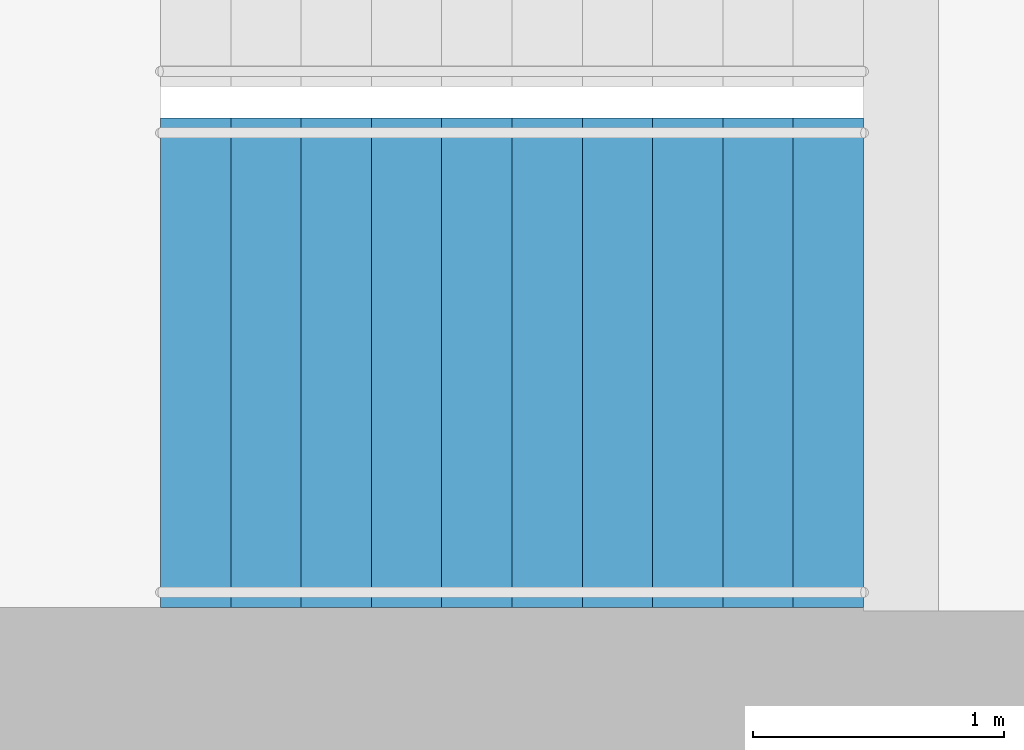
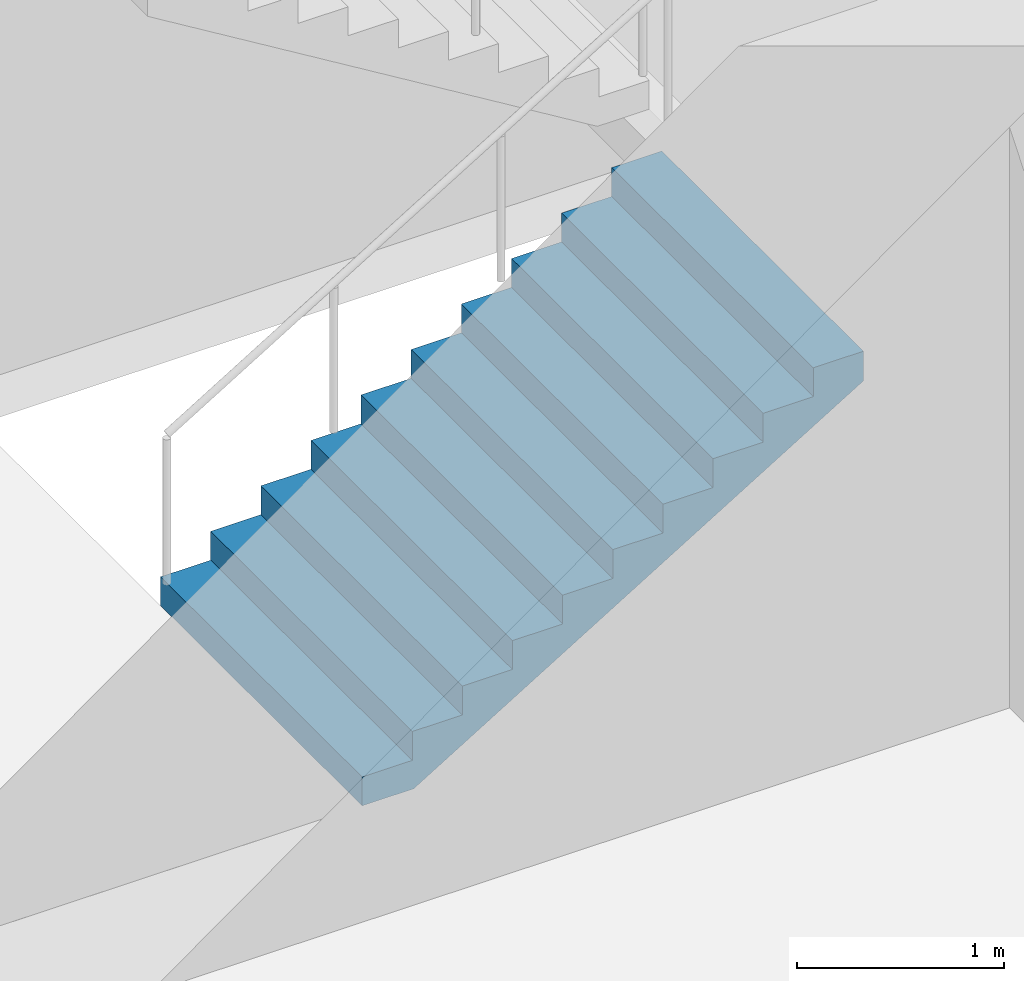
# One storey, part 19 of 23: 1 stair flight, 1 element without a shape of its own.
"""IFC4 building model written with IfcOpenShell, lengths in metres."""

from ifc_helpers import new_model, si_unit, direction, frame, origin, place, context, subcontext, project, spatial, triangles, material, type_object, element, aggregate, save


model = new_model("IFC4")

# Units and contexts
model_context = context("Model", 3, precision=1e-05, world=origin(), true_north=direction((0.0, 1.0)))
body_context = subcontext(model_context, "Body", "Model", "MODEL_VIEW")
ifc_project = project(units=[si_unit("LENGTHUNIT", "METRE"), si_unit("AREAUNIT", "SQUARE_METRE"), si_unit("VOLUMEUNIT", "CUBIC_METRE"), si_unit("PLANEANGLEUNIT", "RADIAN"), si_unit("MASSUNIT", "GRAM", prefix="KILO")], contexts=[model_context])

# Site, building, storey
site_placement = place(None, origin())
site = spatial("IfcSite", under=ifc_project, at=site_placement, CompositionType="ELEMENT")
building_placement = place(site_placement, origin())
building = spatial("IfcBuilding", under=site, at=building_placement, Name="Orbita Commons", CompositionType="ELEMENT")
storey_placement = place(building_placement, frame((0.0, 0.0, 171.10009765625)))
storey = spatial("IfcBuildingStorey", under=building, at=storey_placement, Name="L42", CompositionType="ELEMENT", Elevation=171.10009765625)

# Stair, stair flight
ifc_material_1 = material(Name="Precast concrete C40/50", Category="concrete")
stair_type = type_object("IfcStairType", Name="Exit stair S1 2 flights 11 risers 170", PredefinedType="HALF_TURN_STAIR", material=ifc_material_1)
stair_placement = place(storey_placement, origin())
stair = element("IfcStair", 1, at=stair_placement, inside=storey, type_object=stair_type, Name="Exit stair S1 L42", PredefinedType="HALF_TURN_STAIR")
ifc_material_2 = material(Name="Precast concrete C40/50", Category="concrete")
stair_flight_type = type_object("IfcStairFlightType", Name="Stair flight 11 risers 170 x 280", PredefinedType="STRAIGHT", material=ifc_material_2)
stair_flight_placement = place(storey_placement, frame((20.449951171875, 27.199951171875, 0.0), z_axis=(0.0, 0.0, 1.0), x_axis=(1.0, 0.0, 0.0)))
stair_flight = element("IfcStairFlight", 2, at=stair_flight_placement, type_object=stair_flight_type, Name="S1 flight 1", NumberOfRisers=11, NumberOfTreads=10, PredefinedType="STRAIGHT", RiserHeight=0.170454545, TreadLength=0.28, context=body_context, shape_type="Tessellation", body=[
    triangles([(0.0, 0.974976, 0.0), (0.0, 0.974976, 0.021307), (0.0, 0.81248, 0.021307), (0.0, 0.81248, 0.0), (0.0, 0.649984, 0.021307), (0.0, 0.649984, 0.0), (0.0, 0.487488, 0.021307), (0.0, 0.487488, 0.0), (0.0, 0.324992, 0.021307), (0.0, 0.324992, 0.0), (0.0, 0.162496, 0.021307), (0.0, 0.162496, 0.0), (0.0, 0.0, 0.021307), (0.0, 0.0, 0.0), (0.0, -0.162496, 0.021307), (0.0, -0.162496, 0.0), (0.0, -0.324992, 0.021307), (0.0, -0.324992, 0.0), (0.0, -0.487488, 0.021307), (0.0, -0.487488, 0.0), (0.0, -0.649984, 0.021307), (0.0, -0.649984, 0.0), (0.0, -0.81248, 0.021307), (0.0, -0.81248, 0.0), (0.0, -0.974976, 0.021307), (0.0, -0.974976, 0.0), (0.0, 0.974976, 0.042614), (0.0, 0.81248, 0.042614), (0.0, 0.649984, 0.042614), (0.0, 0.487488, 0.042614), (0.0, 0.324992, 0.042614), (0.0, 0.162496, 0.042614), (0.0, 0.0, 0.042614), (0.0, -0.162496, 0.042614), (0.0, -0.324992, 0.042614), (0.0, -0.487488, 0.042614), (0.0, -0.649984, 0.042614), (0.0, -0.81248, 0.042614), (0.0, -0.974976, 0.042614), (0.0, 0.974976, 0.06392), (0.0, 0.81248, 0.06392), (0.0, 0.649984, 0.06392), (0.0, 0.487488, 0.06392), (0.0, 0.324992, 0.06392), (0.0, 0.162496, 0.06392), (0.0, 0.0, 0.06392), (0.0, -0.162496, 0.06392), (0.0, -0.324992, 0.06392), (0.0, -0.487488, 0.06392), (0.0, -0.649984, 0.06392), (0.0, -0.81248, 0.06392), (0.0, -0.974976, 0.06392), (0.0, 0.974976, 0.085227), (0.0, 0.81248, 0.085227), (0.0, 0.649984, 0.085227), (0.0, 0.487488, 0.085227), (0.0, 0.324992, 0.085227), (0.0, 0.162496, 0.085227), (0.0, 0.0, 0.085227), (0.0, -0.162496, 0.085227), (0.0, -0.324992, 0.085227), (0.0, -0.487488, 0.085227), (0.0, -0.649984, 0.085227), (0.0, -0.81248, 0.085227), (0.0, -0.974976, 0.085227), (0.0, 0.974976, 0.106534), (0.0, 0.81248, 0.106534), (0.0, 0.649984, 0.106534), (0.0, 0.487488, 0.106534), (0.0, 0.324992, 0.106534), (0.0, 0.162496, 0.106534), (0.0, 0.0, 0.106534), (0.0, -0.162496, 0.106534), (0.0, -0.324992, 0.106534), (0.0, -0.487488, 0.106534), (0.0, -0.649984, 0.106534), (0.0, -0.81248, 0.106534), (0.0, -0.974976, 0.106534), (0.0, 0.974976, 0.127841), (0.0, 0.81248, 0.127841), (0.0, 0.649984, 0.127841), (0.0, 0.487488, 0.127841), (0.0, 0.324992, 0.127841), (0.0, 0.162496, 0.127841), (0.0, 0.0, 0.127841), (0.0, -0.162496, 0.127841), (0.0, -0.324992, 0.127841), (0.0, -0.487488, 0.127841), (0.0, -0.649984, 0.127841), (0.0, -0.81248, 0.127841), (0.0, -0.974976, 0.127841), (0.0, 0.974976, 0.149148), (0.0, 0.81248, 0.149148), (0.0, 0.649984, 0.149148), (0.0, 0.487488, 0.149148), (0.0, 0.324992, 0.149148), (0.0, 0.162496, 0.149148), (0.0, 0.0, 0.149148), (0.0, -0.162496, 0.149148), (0.0, -0.324992, 0.149148), (0.0, -0.487488, 0.149148), (0.0, -0.649984, 0.149148), (0.0, -0.81248, 0.149148), (0.0, -0.974976, 0.149148), (0.0, 0.974976, 0.170455), (0.0, 0.81248, 0.170455), (0.0, 0.649984, 0.170455), (0.0, 0.487488, 0.170455), (0.0, 0.324992, 0.170455), (0.0, 0.162496, 0.170455), (0.0, 0.0, 0.170455), (0.0, -0.162496, 0.170455), (0.0, -0.324992, 0.170455), (0.0, -0.487488, 0.170455), (0.0, -0.649984, 0.170455), (0.0, -0.81248, 0.170455), (0.0, -0.974976, 0.170455), (0.28, 0.974976, 0.170455), (0.28, 0.81248, 0.170455), (0.28, 0.649984, 0.170455), (0.28, 0.487488, 0.170455), (0.28, 0.324992, 0.170455), (0.28, 0.162496, 0.170455), (0.28, 0.0, 0.170455), (0.28, -0.162496, 0.170455), (0.28, -0.324992, 0.170455), (0.28, -0.487488, 0.170455), (0.28, -0.649984, 0.170455), (0.28, -0.81248, 0.170455), (0.28, -0.974976, 0.170455), (0.28, 0.974976, 0.340909), (0.28, 0.81248, 0.340909), (0.28, 0.649984, 0.340909), (0.28, 0.487488, 0.340909), (0.28, 0.324992, 0.340909), (0.28, 0.162496, 0.340909), (0.28, 0.0, 0.340909), (0.28, -0.162496, 0.340909), (0.28, -0.324992, 0.340909), (0.28, -0.487488, 0.340909), (0.28, -0.649984, 0.340909), (0.28, -0.81248, 0.340909), (0.28, -0.974976, 0.340909), (0.56, 0.974976, 0.340909), (0.56, 0.81248, 0.340909), (0.56, 0.649984, 0.340909), (0.56, 0.487488, 0.340909), (0.56, 0.324992, 0.340909), (0.56, 0.162496, 0.340909), (0.56, 0.0, 0.340909), (0.56, -0.162496, 0.340909), (0.56, -0.324992, 0.340909), (0.56, -0.487488, 0.340909), (0.56, -0.649984, 0.340909), (0.56, -0.81248, 0.340909), (0.56, -0.974976, 0.340909), (0.56, 0.974976, 0.511364), (0.56, 0.81248, 0.511364), (0.56, 0.649984, 0.511364), (0.56, 0.487488, 0.511364), (0.56, 0.324992, 0.511364), (0.56, 0.162496, 0.511364), (0.56, 0.0, 0.511364), (0.56, -0.162496, 0.511364), (0.56, -0.324992, 0.511364), (0.56, -0.487488, 0.511364), (0.56, -0.649984, 0.511364), (0.56, -0.81248, 0.511364), (0.56, -0.974976, 0.511364), (0.84, 0.974976, 0.511364), (0.84, 0.81248, 0.511364), (0.84, 0.649984, 0.511364), (0.84, 0.487488, 0.511364), (0.84, 0.324992, 0.511364), (0.84, 0.162496, 0.511364), (0.84, 0.0, 0.511364), (0.84, -0.162496, 0.511364), (0.84, -0.324992, 0.511364), (0.84, -0.487488, 0.511364), (0.84, -0.649984, 0.511364), (0.84, -0.81248, 0.511364), (0.84, -0.974976, 0.511364), (0.84, 0.974976, 0.681818), (0.84, 0.81248, 0.681818), (0.84, 0.649984, 0.681818), (0.84, 0.487488, 0.681818), (0.84, 0.324992, 0.681818), (0.84, 0.162496, 0.681818), (0.84, 0.0, 0.681818), (0.84, -0.162496, 0.681818), (0.84, -0.324992, 0.681818), (0.84, -0.487488, 0.681818), (0.84, -0.649984, 0.681818), (0.84, -0.81248, 0.681818), (0.84, -0.974976, 0.681818), (1.12, 0.974976, 0.681818), (1.12, 0.81248, 0.681818), (1.12, 0.649984, 0.681818), (1.12, 0.487488, 0.681818), (1.12, 0.324992, 0.681818), (1.12, 0.162496, 0.681818), (1.12, 0.0, 0.681818), (1.12, -0.162496, 0.681818), (1.12, -0.324992, 0.681818), (1.12, -0.487488, 0.681818), (1.12, -0.649984, 0.681818), (1.12, -0.81248, 0.681818), (1.12, -0.974976, 0.681818), (1.12, 0.974976, 0.852273), (1.12, 0.81248, 0.852273), (1.12, 0.649984, 0.852273), (1.12, 0.487488, 0.852273), (1.12, 0.324992, 0.852273), (1.12, 0.162496, 0.852273), (1.12, 0.0, 0.852273), (1.12, -0.162496, 0.852273), (1.12, -0.324992, 0.852273), (1.12, -0.487488, 0.852273), (1.12, -0.649984, 0.852273), (1.12, -0.81248, 0.852273), (1.12, -0.974976, 0.852273), (1.4, 0.974976, 0.852273), (1.4, 0.81248, 0.852273), (1.4, 0.649984, 0.852273), (1.4, 0.487488, 0.852273), (1.4, 0.324992, 0.852273), (1.4, 0.162496, 0.852273), (1.4, 0.0, 0.852273), (1.4, -0.162496, 0.852273), (1.4, -0.324992, 0.852273), (1.4, -0.487488, 0.852273), (1.4, -0.649984, 0.852273), (1.4, -0.81248, 0.852273), (1.4, -0.974976, 0.852273), (1.4, 0.974976, 1.022727), (1.4, 0.81248, 1.022727), (1.4, 0.649984, 1.022727), (1.4, 0.487488, 1.022727), (1.4, 0.324992, 1.022727), (1.4, 0.162496, 1.022727), (1.4, 0.0, 1.022727), (1.4, -0.162496, 1.022727), (1.4, -0.324992, 1.022727), (1.4, -0.487488, 1.022727), (1.4, -0.649984, 1.022727), (1.4, -0.81248, 1.022727), (1.4, -0.974976, 1.022727), (1.68, 0.974976, 1.022727), (1.68, 0.81248, 1.022727), (1.68, 0.649984, 1.022727), (1.68, 0.487488, 1.022727), (1.68, 0.324992, 1.022727), (1.68, 0.162496, 1.022727), (1.68, 0.0, 1.022727), (1.68, -0.162496, 1.022727), (1.68, -0.324992, 1.022727), (1.68, -0.487488, 1.022727), (1.68, -0.649984, 1.022727), (1.68, -0.81248, 1.022727), (1.68, -0.974976, 1.022727), (1.68, 0.974976, 1.193182), (1.68, 0.81248, 1.193182), (1.68, 0.649984, 1.193182), (1.68, 0.487488, 1.193182), (1.68, 0.324992, 1.193182), (1.68, 0.162496, 1.193182), (1.68, 0.0, 1.193182), (1.68, -0.162496, 1.193182), (1.68, -0.324992, 1.193182), (1.68, -0.487488, 1.193182), (1.68, -0.649984, 1.193182), (1.68, -0.81248, 1.193182), (1.68, -0.974976, 1.193182), (1.96, 0.974976, 1.193182), (1.96, 0.81248, 1.193182), (1.96, 0.649984, 1.193182), (1.96, 0.487488, 1.193182), (1.96, 0.324992, 1.193182), (1.96, 0.162496, 1.193182), (1.96, 0.0, 1.193182), (1.96, -0.162496, 1.193182), (1.96, -0.324992, 1.193182), (1.96, -0.487488, 1.193182), (1.96, -0.649984, 1.193182), (1.96, -0.81248, 1.193182), (1.96, -0.974976, 1.193182), (1.96, 0.974976, 1.363636), (1.96, 0.81248, 1.363636), (1.96, 0.649984, 1.363636), (1.96, 0.487488, 1.363636), (1.96, 0.324992, 1.363636), (1.96, 0.162496, 1.363636), (1.96, 0.0, 1.363636), (1.96, -0.162496, 1.363636), (1.96, -0.324992, 1.363636), (1.96, -0.487488, 1.363636), (1.96, -0.649984, 1.363636), (1.96, -0.81248, 1.363636), (1.96, -0.974976, 1.363636), (2.24, 0.974976, 1.363636), (2.24, 0.81248, 1.363636), (2.24, 0.649984, 1.363636), (2.24, 0.487488, 1.363636), (2.24, 0.324992, 1.363636), (2.24, 0.162496, 1.363636), (2.24, 0.0, 1.363636), (2.24, -0.162496, 1.363636), (2.24, -0.324992, 1.363636), (2.24, -0.487488, 1.363636), (2.24, -0.649984, 1.363636), (2.24, -0.81248, 1.363636), (2.24, -0.974976, 1.363636), (2.24, 0.974976, 1.534091), (2.24, 0.81248, 1.534091), (2.24, 0.649984, 1.534091), (2.24, 0.487488, 1.534091), (2.24, 0.324992, 1.534091), (2.24, 0.162496, 1.534091), (2.24, 0.0, 1.534091), (2.24, -0.162496, 1.534091), (2.24, -0.324992, 1.534091), (2.24, -0.487488, 1.534091), (2.24, -0.649984, 1.534091), (2.24, -0.81248, 1.534091), (2.24, -0.974976, 1.534091), (2.52, 0.974976, 1.534091), (2.52, 0.81248, 1.534091), (2.52, 0.649984, 1.534091), (2.52, 0.487488, 1.534091), (2.52, 0.324992, 1.534091), (2.52, 0.162496, 1.534091), (2.52, 0.0, 1.534091), (2.52, -0.162496, 1.534091), (2.52, -0.324992, 1.534091), (2.52, -0.487488, 1.534091), (2.52, -0.649984, 1.534091), (2.52, -0.81248, 1.534091), (2.52, -0.974976, 1.534091), (2.52, 0.974976, 1.704545), (2.52, 0.81248, 1.704545), (2.52, 0.649984, 1.704545), (2.52, 0.487488, 1.704545), (2.52, 0.324992, 1.704545), (2.52, 0.162496, 1.704545), (2.52, 0.0, 1.704545), (2.52, -0.162496, 1.704545), (2.52, -0.324992, 1.704545), (2.52, -0.487488, 1.704545), (2.52, -0.649984, 1.704545), (2.52, -0.81248, 1.704545), (2.52, -0.974976, 1.704545), (2.8, 0.974976, 1.704545), (2.8, 0.81248, 1.704545), (2.8, 0.649984, 1.704545), (2.8, 0.487488, 1.704545), (2.8, 0.324992, 1.704545), (2.8, 0.162496, 1.704545), (2.8, 0.0, 1.704545), (2.8, -0.162496, 1.704545), (2.8, -0.324992, 1.704545), (2.8, -0.487488, 1.704545), (2.8, -0.649984, 1.704545), (2.8, -0.81248, 1.704545), (2.8, -0.974976, 1.704545), (2.8, 0.974976, 1.682609), (2.8, 0.81248, 1.682609), (2.8, 0.649984, 1.682609), (2.8, 0.487488, 1.682609), (2.8, 0.324992, 1.682609), (2.8, 0.162496, 1.682609), (2.8, 0.0, 1.682609), (2.8, -0.162496, 1.682609), (2.8, -0.324992, 1.682609), (2.8, -0.487488, 1.682609), (2.8, -0.649984, 1.682609), (2.8, -0.81248, 1.682609), (2.8, -0.974976, 1.682609), (2.8, 0.974976, 1.660672), (2.8, 0.81248, 1.660672), (2.8, 0.649984, 1.660672), (2.8, 0.487488, 1.660672), (2.8, 0.324992, 1.660672), (2.8, 0.162496, 1.660672), (2.8, 0.0, 1.660672), (2.8, -0.162496, 1.660672), (2.8, -0.324992, 1.660672), (2.8, -0.487488, 1.660672), (2.8, -0.649984, 1.660672), (2.8, -0.81248, 1.660672), (2.8, -0.974976, 1.660672), (2.8, 0.974976, 1.638735), (2.8, 0.81248, 1.638735), (2.8, 0.649984, 1.638735), (2.8, 0.487488, 1.638735), (2.8, 0.324992, 1.638735), (2.8, 0.162496, 1.638735), (2.8, 0.0, 1.638735), (2.8, -0.162496, 1.638735), (2.8, -0.324992, 1.638735), (2.8, -0.487488, 1.638735), (2.8, -0.649984, 1.638735), (2.8, -0.81248, 1.638735), (2.8, -0.974976, 1.638735), (2.8, 0.974976, 1.616798), (2.8, 0.81248, 1.616798), (2.8, 0.649984, 1.616798), (2.8, 0.487488, 1.616798), (2.8, 0.324992, 1.616798), (2.8, 0.162496, 1.616798), (2.8, 0.0, 1.616798), (2.8, -0.162496, 1.616798), (2.8, -0.324992, 1.616798), (2.8, -0.487488, 1.616798), (2.8, -0.649984, 1.616798), (2.8, -0.81248, 1.616798), (2.8, -0.974976, 1.616798), (2.8, 0.974976, 1.594861), (2.8, 0.81248, 1.594861), (2.8, 0.649984, 1.594861), (2.8, 0.487488, 1.594861), (2.8, 0.324992, 1.594861), (2.8, 0.162496, 1.594861), (2.8, 0.0, 1.594861), (2.8, -0.162496, 1.594861), (2.8, -0.324992, 1.594861), (2.8, -0.487488, 1.594861), (2.8, -0.649984, 1.594861), (2.8, -0.81248, 1.594861), (2.8, -0.974976, 1.594861), (2.8, 0.974976, 1.572925), (2.8, 0.81248, 1.572925), (2.8, 0.649984, 1.572925), (2.8, 0.487488, 1.572925), (2.8, 0.324992, 1.572925), (2.8, 0.162496, 1.572925), (2.8, 0.0, 1.572925), (2.8, -0.162496, 1.572925), (2.8, -0.324992, 1.572925), (2.8, -0.487488, 1.572925), (2.8, -0.649984, 1.572925), (2.8, -0.81248, 1.572925), (2.8, -0.974976, 1.572925), (2.8, 0.974976, 1.550988), (2.8, 0.81248, 1.550988), (2.8, 0.649984, 1.550988), (2.8, 0.487488, 1.550988), (2.8, 0.324992, 1.550988), (2.8, 0.162496, 1.550988), (2.8, 0.0, 1.550988), (2.8, -0.162496, 1.550988), (2.8, -0.324992, 1.550988), (2.8, -0.487488, 1.550988), (2.8, -0.649984, 1.550988), (2.8, -0.81248, 1.550988), (2.8, -0.974976, 1.550988), (2.8, 0.974976, 1.529051), (2.8, 0.81248, 1.529051), (2.8, 0.649984, 1.529051), (2.8, 0.487488, 1.529051), (2.8, 0.324992, 1.529051), (2.8, 0.162496, 1.529051), (2.8, 0.0, 1.529051), (2.8, -0.162496, 1.529051), (2.8, -0.324992, 1.529051), (2.8, -0.487488, 1.529051), (2.8, -0.649984, 1.529051), (2.8, -0.81248, 1.529051), (2.8, -0.974976, 1.529051), (0.288279, 0.974976, 0.0), (0.288279, 0.81248, 0.0), (0.288279, 0.649984, 0.0), (0.288279, 0.487488, 0.0), (0.288279, 0.324992, 0.0), (0.288279, 0.162496, 0.0), (0.288279, 0.0, 0.0), (0.288279, -0.162496, 0.0), (0.288279, -0.324992, 0.0), (0.288279, -0.487488, 0.0), (0.288279, -0.649984, 0.0), (0.288279, -0.81248, 0.0), (0.288279, -0.974976, 0.0)], [[3, 2, 1], [4, 3, 1], [5, 3, 4], [6, 5, 4], [7, 5, 6], [8, 7, 6], [9, 7, 8], [10, 9, 8], [11, 9, 10], [12, 11, 10], [13, 11, 12], [14, 13, 12], [15, 13, 14], [16, 15, 14], [17, 15, 16], [18, 17, 16], [19, 17, 18], [20, 19, 18], [21, 19, 20], [22, 21, 20], [23, 21, 22], [24, 23, 22], [25, 23, 24], [26, 25, 24], [28, 27, 2], [3, 28, 2], [29, 28, 3], [5, 29, 3], [30, 29, 5], [7, 30, 5], [31, 30, 7], [9, 31, 7], [32, 31, 9], [11, 32, 9], [33, 32, 11], [13, 33, 11], [34, 33, 13], [15, 34, 13], [35, 34, 15], [17, 35, 15], [36, 35, 17], [19, 36, 17], [37, 36, 19], [21, 37, 19], [38, 37, 21], [23, 38, 21], [39, 38, 23], [25, 39, 23], [41, 40, 27], [28, 41, 27], [42, 41, 28], [29, 42, 28], [43, 42, 29], [30, 43, 29], [44, 43, 30], [31, 44, 30], [45, 44, 31], [32, 45, 31], [46, 45, 32], [33, 46, 32], [47, 46, 33], [34, 47, 33], [48, 47, 34], [35, 48, 34], [49, 48, 35], [36, 49, 35], [50, 49, 36], [37, 50, 36], [51, 50, 37], [38, 51, 37], [52, 51, 38], [39, 52, 38], [54, 53, 40], [41, 54, 40], [55, 54, 41], [42, 55, 41], [56, 55, 42], [43, 56, 42], [57, 56, 43], [44, 57, 43], [58, 57, 44], [45, 58, 44], [59, 58, 45], [46, 59, 45], [60, 59, 46], [47, 60, 46], [61, 60, 47], [48, 61, 47], [62, 61, 48], [49, 62, 48], [63, 62, 49], [50, 63, 49], [64, 63, 50], [51, 64, 50], [65, 64, 51], [52, 65, 51], [67, 66, 53], [54, 67, 53], [68, 67, 54], [55, 68, 54], [69, 68, 55], [56, 69, 55], [70, 69, 56], [57, 70, 56], [71, 70, 57], [58, 71, 57], [72, 71, 58], [59, 72, 58], [73, 72, 59], [60, 73, 59], [74, 73, 60], [61, 74, 60], [75, 74, 61], [62, 75, 61], [76, 75, 62], [63, 76, 62], [77, 76, 63], [64, 77, 63], [78, 77, 64], [65, 78, 64], [80, 79, 66], [67, 80, 66], [81, 80, 67], [68, 81, 67], [82, 81, 68], [69, 82, 68], [83, 82, 69], [70, 83, 69], [84, 83, 70], [71, 84, 70], [85, 84, 71], [72, 85, 71], [86, 85, 72], [73, 86, 72], [87, 86, 73], [74, 87, 73], [88, 87, 74], [75, 88, 74], [89, 88, 75], [76, 89, 75], [90, 89, 76], [77, 90, 76], [91, 90, 77], [78, 91, 77], [93, 92, 79], [80, 93, 79], [94, 93, 80], [81, 94, 80], [95, 94, 81], [82, 95, 81], [96, 95, 82], [83, 96, 82], [97, 96, 83], [84, 97, 83], [98, 97, 84], [85, 98, 84], [99, 98, 85], [86, 99, 85], [100, 99, 86], [87, 100, 86], [101, 100, 87], [88, 101, 87], [102, 101, 88], [89, 102, 88], [103, 102, 89], [90, 103, 89], [104, 103, 90], [91, 104, 90], [106, 105, 92], [93, 106, 92], [107, 106, 93], [94, 107, 93], [108, 107, 94], [95, 108, 94], [109, 108, 95], [96, 109, 95], [110, 109, 96], [97, 110, 96], [111, 110, 97], [98, 111, 97], [112, 111, 98], [99, 112, 98], [113, 112, 99], [100, 113, 99], [114, 113, 100], [101, 114, 100], [115, 114, 101], [102, 115, 101], [116, 115, 102], [103, 116, 102], [117, 116, 103], [104, 117, 103], [119, 118, 105], [106, 119, 105], [120, 119, 106], [107, 120, 106], [121, 120, 107], [108, 121, 107], [122, 121, 108], [109, 122, 108], [123, 122, 109], [110, 123, 109], [124, 123, 110], [111, 124, 110], [125, 124, 111], [112, 125, 111], [126, 125, 112], [113, 126, 112], [127, 126, 113], [114, 127, 113], [128, 127, 114], [115, 128, 114], [129, 128, 115], [116, 129, 115], [130, 129, 116], [117, 130, 116], [132, 131, 118], [119, 132, 118], [133, 132, 119], [120, 133, 119], [134, 133, 120], [121, 134, 120], [135, 134, 121], [122, 135, 121], [136, 135, 122], [123, 136, 122], [137, 136, 123], [124, 137, 123], [138, 137, 124], [125, 138, 124], [139, 138, 125], [126, 139, 125], [140, 139, 126], [127, 140, 126], [141, 140, 127], [128, 141, 127], [142, 141, 128], [129, 142, 128], [143, 142, 129], [130, 143, 129], [145, 144, 131], [132, 145, 131], [146, 145, 132], [133, 146, 132], [147, 146, 133], [134, 147, 133], [148, 147, 134], [135, 148, 134], [149, 148, 135], [136, 149, 135], [150, 149, 136], [137, 150, 136], [151, 150, 137], [138, 151, 137], [152, 151, 138], [139, 152, 138], [153, 152, 139], [140, 153, 139], [154, 153, 140], [141, 154, 140], [155, 154, 141], [142, 155, 141], [156, 155, 142], [143, 156, 142], [158, 157, 144], [145, 158, 144], [159, 158, 145], [146, 159, 145], [160, 159, 146], [147, 160, 146], [161, 160, 147], [148, 161, 147], [162, 161, 148], [149, 162, 148], [163, 162, 149], [150, 163, 149], [164, 163, 150], [151, 164, 150], [165, 164, 151], [152, 165, 151], [166, 165, 152], [153, 166, 152], [167, 166, 153], [154, 167, 153], [168, 167, 154], [155, 168, 154], [169, 168, 155], [156, 169, 155], [171, 170, 157], [158, 171, 157], [172, 171, 158], [159, 172, 158], [173, 172, 159], [160, 173, 159], [174, 173, 160], [161, 174, 160], [175, 174, 161], [162, 175, 161], [176, 175, 162], [163, 176, 162], [177, 176, 163], [164, 177, 163], [178, 177, 164], [165, 178, 164], [179, 178, 165], [166, 179, 165], [180, 179, 166], [167, 180, 166], [181, 180, 167], [168, 181, 167], [182, 181, 168], [169, 182, 168], [184, 183, 170], [171, 184, 170], [185, 184, 171], [172, 185, 171], [186, 185, 172], [173, 186, 172], [187, 186, 173], [174, 187, 173], [188, 187, 174], [175, 188, 174], [189, 188, 175], [176, 189, 175], [190, 189, 176], [177, 190, 176], [191, 190, 177], [178, 191, 177], [192, 191, 178], [179, 192, 178], [193, 192, 179], [180, 193, 179], [194, 193, 180], [181, 194, 180], [195, 194, 181], [182, 195, 181], [197, 196, 183], [184, 197, 183], [198, 197, 184], [185, 198, 184], [199, 198, 185], [186, 199, 185], [200, 199, 186], [187, 200, 186], [201, 200, 187], [188, 201, 187], [202, 201, 188], [189, 202, 188], [203, 202, 189], [190, 203, 189], [204, 203, 190], [191, 204, 190], [205, 204, 191], [192, 205, 191], [206, 205, 192], [193, 206, 192], [207, 206, 193], [194, 207, 193], [208, 207, 194], [195, 208, 194], [210, 209, 196], [197, 210, 196], [211, 210, 197], [198, 211, 197], [212, 211, 198], [199, 212, 198], [213, 212, 199], [200, 213, 199], [214, 213, 200], [201, 214, 200], [215, 214, 201], [202, 215, 201], [216, 215, 202], [203, 216, 202], [217, 216, 203], [204, 217, 203], [218, 217, 204], [205, 218, 204], [219, 218, 205], [206, 219, 205], [220, 219, 206], [207, 220, 206], [221, 220, 207], [208, 221, 207], [223, 222, 209], [210, 223, 209], [224, 223, 210], [211, 224, 210], [225, 224, 211], [212, 225, 211], [226, 225, 212], [213, 226, 212], [227, 226, 213], [214, 227, 213], [228, 227, 214], [215, 228, 214], [229, 228, 215], [216, 229, 215], [230, 229, 216], [217, 230, 216], [231, 230, 217], [218, 231, 217], [232, 231, 218], [219, 232, 218], [233, 232, 219], [220, 233, 219], [234, 233, 220], [221, 234, 220], [236, 235, 222], [223, 236, 222], [237, 236, 223], [224, 237, 223], [238, 237, 224], [225, 238, 224], [239, 238, 225], [226, 239, 225], [240, 239, 226], [227, 240, 226], [241, 240, 227], [228, 241, 227], [242, 241, 228], [229, 242, 228], [243, 242, 229], [230, 243, 229], [244, 243, 230], [231, 244, 230], [245, 244, 231], [232, 245, 231], [246, 245, 232], [233, 246, 232], [247, 246, 233], [234, 247, 233], [249, 248, 235], [236, 249, 235], [250, 249, 236], [237, 250, 236], [251, 250, 237], [238, 251, 237], [252, 251, 238], [239, 252, 238], [253, 252, 239], [240, 253, 239], [254, 253, 240], [241, 254, 240], [255, 254, 241], [242, 255, 241], [256, 255, 242], [243, 256, 242], [257, 256, 243], [244, 257, 243], [258, 257, 244], [245, 258, 244], [259, 258, 245], [246, 259, 245], [260, 259, 246], [247, 260, 246], [262, 261, 248], [249, 262, 248], [263, 262, 249], [250, 263, 249], [264, 263, 250], [251, 264, 250], [265, 264, 251], [252, 265, 251], [266, 265, 252], [253, 266, 252], [267, 266, 253], [254, 267, 253], [268, 267, 254], [255, 268, 254], [269, 268, 255], [256, 269, 255], [270, 269, 256], [257, 270, 256], [271, 270, 257], [258, 271, 257], [272, 271, 258], [259, 272, 258], [273, 272, 259], [260, 273, 259], [275, 274, 261], [262, 275, 261], [276, 275, 262], [263, 276, 262], [277, 276, 263], [264, 277, 263], [278, 277, 264], [265, 278, 264], [279, 278, 265], [266, 279, 265], [280, 279, 266], [267, 280, 266], [281, 280, 267], [268, 281, 267], [282, 281, 268], [269, 282, 268], [283, 282, 269], [270, 283, 269], [284, 283, 270], [271, 284, 270], [285, 284, 271], [272, 285, 271], [286, 285, 272], [273, 286, 272], [288, 287, 274], [275, 288, 274], [289, 288, 275], [276, 289, 275], [290, 289, 276], [277, 290, 276], [291, 290, 277], [278, 291, 277], [292, 291, 278], [279, 292, 278], [293, 292, 279], [280, 293, 279], [294, 293, 280], [281, 294, 280], [295, 294, 281], [282, 295, 281], [296, 295, 282], [283, 296, 282], [297, 296, 283], [284, 297, 283], [298, 297, 284], [285, 298, 284], [299, 298, 285], [286, 299, 285], [301, 300, 287], [288, 301, 287], [302, 301, 288], [289, 302, 288], [303, 302, 289], [290, 303, 289], [304, 303, 290], [291, 304, 290], [305, 304, 291], [292, 305, 291], [306, 305, 292], [293, 306, 292], [307, 306, 293], [294, 307, 293], [308, 307, 294], [295, 308, 294], [309, 308, 295], [296, 309, 295], [310, 309, 296], [297, 310, 296], [311, 310, 297], [298, 311, 297], [312, 311, 298], [299, 312, 298], [314, 313, 300], [301, 314, 300], [315, 314, 301], [302, 315, 301], [316, 315, 302], [303, 316, 302], [317, 316, 303], [304, 317, 303], [318, 317, 304], [305, 318, 304], [319, 318, 305], [306, 319, 305], [320, 319, 306], [307, 320, 306], [321, 320, 307], [308, 321, 307], [322, 321, 308], [309, 322, 308], [323, 322, 309], [310, 323, 309], [324, 323, 310], [311, 324, 310], [325, 324, 311], [312, 325, 311], [327, 326, 313], [314, 327, 313], [328, 327, 314], [315, 328, 314], [329, 328, 315], [316, 329, 315], [330, 329, 316], [317, 330, 316], [331, 330, 317], [318, 331, 317], [332, 331, 318], [319, 332, 318], [333, 332, 319], [320, 333, 319], [334, 333, 320], [321, 334, 320], [335, 334, 321], [322, 335, 321], [336, 335, 322], [323, 336, 322], [337, 336, 323], [324, 337, 323], [338, 337, 324], [325, 338, 324], [340, 339, 326], [327, 340, 326], [341, 340, 327], [328, 341, 327], [342, 341, 328], [329, 342, 328], [343, 342, 329], [330, 343, 329], [344, 343, 330], [331, 344, 330], [345, 344, 331], [332, 345, 331], [346, 345, 332], [333, 346, 332], [347, 346, 333], [334, 347, 333], [348, 347, 334], [335, 348, 334], [349, 348, 335], [336, 349, 335], [350, 349, 336], [337, 350, 336], [351, 350, 337], [338, 351, 337], [353, 352, 339], [340, 353, 339], [354, 353, 340], [341, 354, 340], [355, 354, 341], [342, 355, 341], [356, 355, 342], [343, 356, 342], [357, 356, 343], [344, 357, 343], [358, 357, 344], [345, 358, 344], [359, 358, 345], [346, 359, 345], [360, 359, 346], [347, 360, 346], [361, 360, 347], [348, 361, 347], [362, 361, 348], [349, 362, 348], [363, 362, 349], [350, 363, 349], [364, 363, 350], [351, 364, 350], [366, 365, 352], [353, 366, 352], [367, 366, 353], [354, 367, 353], [368, 367, 354], [355, 368, 354], [369, 368, 355], [356, 369, 355], [370, 369, 356], [357, 370, 356], [371, 370, 357], [358, 371, 357], [372, 371, 358], [359, 372, 358], [373, 372, 359], [360, 373, 359], [374, 373, 360], [361, 374, 360], [375, 374, 361], [362, 375, 361], [376, 375, 362], [363, 376, 362], [377, 376, 363], [364, 377, 363], [379, 378, 365], [366, 379, 365], [380, 379, 366], [367, 380, 366], [381, 380, 367], [368, 381, 367], [382, 381, 368], [369, 382, 368], [383, 382, 369], [370, 383, 369], [384, 383, 370], [371, 384, 370], [385, 384, 371], [372, 385, 371], [386, 385, 372], [373, 386, 372], [387, 386, 373], [374, 387, 373], [388, 387, 374], [375, 388, 374], [389, 388, 375], [376, 389, 375], [390, 389, 376], [377, 390, 376], [392, 391, 378], [379, 392, 378], [393, 392, 379], [380, 393, 379], [394, 393, 380], [381, 394, 380], [395, 394, 381], [382, 395, 381], [396, 395, 382], [383, 396, 382], [397, 396, 383], [384, 397, 383], [398, 397, 384], [385, 398, 384], [399, 398, 385], [386, 399, 385], [400, 399, 386], [387, 400, 386], [401, 400, 387], [388, 401, 387], [402, 401, 388], [389, 402, 388], [403, 402, 389], [390, 403, 389], [405, 404, 391], [392, 405, 391], [406, 405, 392], [393, 406, 392], [407, 406, 393], [394, 407, 393], [408, 407, 394], [395, 408, 394], [409, 408, 395], [396, 409, 395], [410, 409, 396], [397, 410, 396], [411, 410, 397], [398, 411, 397], [412, 411, 398], [399, 412, 398], [413, 412, 399], [400, 413, 399], [414, 413, 400], [401, 414, 400], [415, 414, 401], [402, 415, 401], [416, 415, 402], [403, 416, 402], [418, 417, 404], [405, 418, 404], [419, 418, 405], [406, 419, 405], [420, 419, 406], [407, 420, 406], [421, 420, 407], [408, 421, 407], [422, 421, 408], [409, 422, 408], [423, 422, 409], [410, 423, 409], [424, 423, 410], [411, 424, 410], [425, 424, 411], [412, 425, 411], [426, 425, 412], [413, 426, 412], [427, 426, 413], [414, 427, 413], [428, 427, 414], [415, 428, 414], [429, 428, 415], [416, 429, 415], [431, 430, 417], [418, 431, 417], [432, 431, 418], [419, 432, 418], [433, 432, 419], [420, 433, 419], [434, 433, 420], [421, 434, 420], [435, 434, 421], [422, 435, 421], [436, 435, 422], [423, 436, 422], [437, 436, 423], [424, 437, 423], [438, 437, 424], [425, 438, 424], [439, 438, 425], [426, 439, 425], [440, 439, 426], [427, 440, 426], [441, 440, 427], [428, 441, 427], [442, 441, 428], [429, 442, 428], [444, 443, 430], [431, 444, 430], [445, 444, 431], [432, 445, 431], [446, 445, 432], [433, 446, 432], [447, 446, 433], [434, 447, 433], [448, 447, 434], [435, 448, 434], [449, 448, 435], [436, 449, 435], [450, 449, 436], [437, 450, 436], [451, 450, 437], [438, 451, 437], [452, 451, 438], [439, 452, 438], [453, 452, 439], [440, 453, 439], [454, 453, 440], [441, 454, 440], [455, 454, 441], [442, 455, 441], [457, 456, 443], [444, 457, 443], [458, 457, 444], [445, 458, 444], [459, 458, 445], [446, 459, 445], [460, 459, 446], [447, 460, 446], [461, 460, 447], [448, 461, 447], [462, 461, 448], [449, 462, 448], [463, 462, 449], [450, 463, 449], [464, 463, 450], [451, 464, 450], [465, 464, 451], [452, 465, 451], [466, 465, 452], [453, 466, 452], [467, 466, 453], [454, 467, 453], [468, 467, 454], [455, 468, 454], [470, 469, 456], [457, 470, 456], [471, 470, 457], [458, 471, 457], [472, 471, 458], [459, 472, 458], [473, 472, 459], [460, 473, 459], [474, 473, 460], [461, 474, 460], [475, 474, 461], [462, 475, 461], [476, 475, 462], [463, 476, 462], [477, 476, 463], [464, 477, 463], [478, 477, 464], [465, 478, 464], [479, 478, 465], [466, 479, 465], [480, 479, 466], [467, 480, 466], [481, 480, 467], [468, 481, 467], [4, 1, 469], [470, 4, 469], [6, 4, 470], [471, 6, 470], [8, 6, 471], [472, 8, 471], [10, 8, 472], [473, 10, 472], [12, 10, 473], [474, 12, 473], [14, 12, 474], [475, 14, 474], [16, 14, 475], [476, 16, 475], [18, 16, 476], [477, 18, 476], [20, 18, 477], [478, 20, 477], [22, 20, 478], [479, 22, 478], [24, 22, 479], [480, 24, 479], [26, 24, 480], [481, 26, 480], [456, 469, 1], [26, 481, 468], [443, 456, 1], [26, 468, 455], [430, 443, 1], [26, 455, 442], [417, 430, 1], [26, 442, 429], [404, 417, 1], [26, 429, 416], [391, 404, 1], [26, 416, 403], [378, 391, 1], [26, 403, 390], [365, 378, 1], [26, 390, 377], [339, 352, 365], [377, 364, 351], [326, 339, 365], [377, 351, 338], [300, 313, 326], [338, 325, 312], [300, 326, 365], [377, 338, 312], [274, 287, 300], [312, 299, 286], [274, 300, 365], [377, 312, 286], [248, 261, 274], [286, 273, 260], [248, 274, 365], [377, 286, 260], [222, 235, 248], [260, 247, 234], [222, 248, 365], [377, 260, 234], [196, 209, 222], [234, 221, 208], [196, 222, 365], [377, 234, 208], [170, 183, 196], [208, 195, 182], [170, 196, 365], [377, 208, 182], [144, 157, 170], [182, 169, 156], [144, 170, 365], [377, 182, 156], [118, 131, 144], [156, 143, 130], [118, 144, 365], [377, 156, 130], [118, 365, 1], [26, 377, 130], [92, 105, 118], [130, 117, 104], [79, 92, 118], [130, 104, 91], [66, 79, 118], [130, 91, 78], [53, 66, 118], [130, 78, 65], [40, 53, 118], [130, 65, 52], [27, 40, 118], [130, 52, 39], [2, 27, 118], [130, 39, 25], [1, 2, 118], [130, 25, 26]], closed=True),
])
aggregate(stair, [stair_flight])

save(model, "model.ifc")
